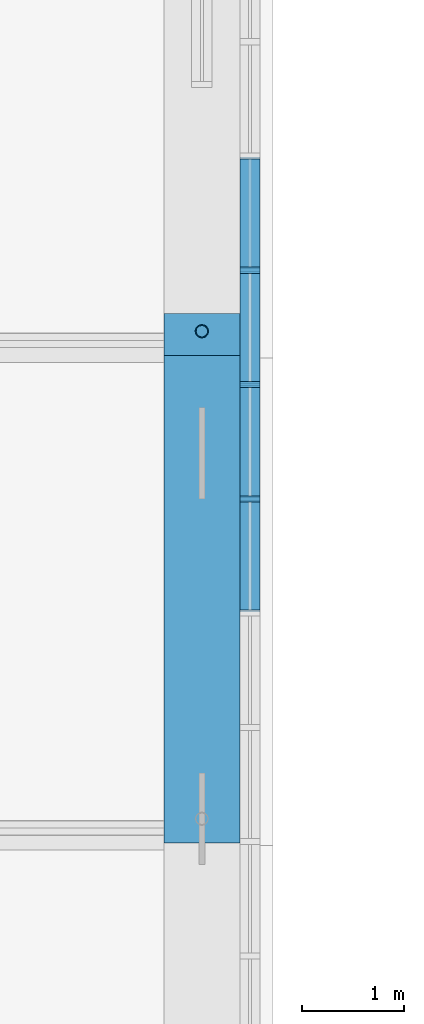
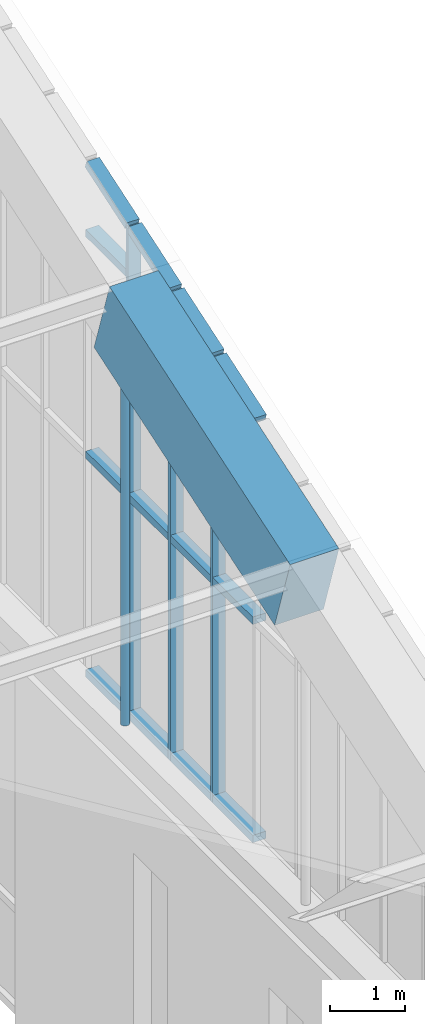
# One storey, part 92 of 149: 17 members, 1 beam, 1 element without a shape of its own.
"""IFC4 building model written with IfcOpenShell, lengths in metres."""

from ifc_helpers import new_model, si_unit, direction, frame, origin, origin_2d, place, context, subcontext, project, spatial, rectangle, hollow_circle, extrude, material, material_profile, profile_set, type_object, element, aggregate, save


model = new_model("IFC4")

# Units and contexts
model_context = context("Model", 3, precision=1e-05, world=origin(), true_north=direction((0.0, 1.0)))
body_context = subcontext(model_context, "Body", "Model", "MODEL_VIEW")
ifc_project = project(units=[si_unit("LENGTHUNIT", "METRE"), si_unit("AREAUNIT", "SQUARE_METRE"), si_unit("VOLUMEUNIT", "CUBIC_METRE"), si_unit("PLANEANGLEUNIT", "RADIAN"), si_unit("MASSUNIT", "GRAM", prefix="KILO")], contexts=[model_context])

# Site, building, storey
site_placement = place(None, origin())
site = spatial("IfcSite", under=ifc_project, at=site_placement, CompositionType="ELEMENT")
building_placement = place(site_placement, origin())
building = spatial("IfcBuilding", under=site, at=building_placement, Name="Alderwick Market Hall", CompositionType="ELEMENT")
storey_placement = place(building_placement, frame((0.0, 0.0, 9.60009765625)))
storey = spatial("IfcBuildingStorey", under=building, at=storey_placement, Name="L01", CompositionType="ELEMENT", Elevation=9.60009765625)

# Beam
ifc_material_1 = material(Name="Concrete 5000 psi (f'c 35 MPa)", Category="concrete")
ifc_material_profile_1 = material_profile(ifc_material_1, rectangle(XDim=0.75, YDim=1.300048828125, at=origin_2d()), Name="RC 750x1300")
ifc_profile_set_1 = profile_set([ifc_material_profile_1], Name="Concrete 5000 psi (f'c 35 MPa)")
beam_type = type_object("IfcBeamType", Name="R Arch Rib Haunch 750x1300", PredefinedType="BEAM", material=ifc_profile_set_1)
beam_placement = place(storey_placement, frame((151.199951171875, 64.768310546875, 11.494873046875), z_axis=(0.0, 0.948692948114, 0.316198814353), x_axis=(-1.0, 0.0, 0.0)))
element("IfcBeam", 1, at=beam_placement, inside=storey, type_object=beam_type, Name="Arch rib 8 chord 4", PredefinedType="BEAM", context=body_context, shape_type="SweptSolid", body=[
    extrude(rectangle(XDim=0.75, YDim=1.300048828125, at=origin_2d()), origin(), (0.0, 0.0, 1.0), 5.0595703125),
])

# Curtain wall, members
ifc_material_2 = material(Name="Aluminium", Category="aluminium")
curtain_wall_type = type_object("IfcCurtainWallType", Name="R Curtain Wall Frame", PredefinedType="NOTDEFINED", material=ifc_material_2)
curtain_wall_placement = place(storey_placement, origin())
curtain_wall = element("IfcCurtainWall", 2, at=curtain_wall_placement, inside=storey, type_object=curtain_wall_type, Name="Curtain wall GCW3", PredefinedType="NOTDEFINED")
ifc_material_profile_2 = material_profile(ifc_material_2, rectangle(XDim=0.199951171875, YDim=0.06005859375, at=origin_2d()), Name="AL 60x200")
ifc_profile_set_2 = profile_set([ifc_material_profile_2], Name="Aluminium")
member_type_1 = type_object("IfcMemberType", Name="R CW Mullion 60x200", PredefinedType="MULLION", material=ifc_profile_set_2)
member_1_placement = place(storey_placement, frame((151.675048828125, 67.949951171875, 5.94677734375), z_axis=(0.0, 0.0, 1.0), x_axis=(1.0, 0.0, 0.0)))
member_1 = element("IfcMember", 3, at=member_1_placement, type_object=member_type_1, Name="GCW3 mullion 15", PredefinedType="MULLION", context=body_context, shape_type="SweptSolid", body=[
    extrude(rectangle(XDim=0.199951171875, YDim=0.06005859375, at=origin_2d()), origin(), (0.0, 0.0, 1.0), 7.200439453125),
])
member_2_placement = place(storey_placement, frame((151.675048828125, 69.074951171875, 5.94677734375), z_axis=(0.0, 0.0, 1.0), x_axis=(1.0, 0.0, 0.0)))
member_2 = element("IfcMember", 4, at=member_2_placement, type_object=member_type_1, Name="GCW3 mullion 16", PredefinedType="MULLION", context=body_context, shape_type="SweptSolid", body=[
    extrude(rectangle(XDim=0.199951171875, YDim=0.06005859375, at=origin_2d()), origin(), (0.0, 0.0, 1.0), 7.575439453125),
])
member_3_placement = place(storey_placement, frame((151.675048828125, 70.199951171875, 5.94677734375), z_axis=(0.0, 0.0, 1.0), x_axis=(1.0, 0.0, 0.0)))
member_3 = element("IfcMember", 5, at=member_3_placement, type_object=member_type_1, Name="GCW3 mullion 17", PredefinedType="MULLION", context=body_context, shape_type="SweptSolid", body=[
    extrude(rectangle(XDim=0.199951171875, YDim=0.06005859375, at=origin_2d()), origin(), (0.0, 0.0, 1.0), 7.950439453125),
])
ifc_material_profile_3 = material_profile(ifc_material_2, rectangle(XDim=0.199951171875, YDim=0.1201171875, at=origin_2d()), Name="AL 120x200")
ifc_profile_set_3 = profile_set([ifc_material_profile_3], Name="Aluminium")
member_type_2 = type_object("IfcMemberType", Name="R CW Transom 120x200", PredefinedType="USERDEFINED", material=ifc_profile_set_3)
member_4_placement = place(storey_placement, frame((151.675048828125, 66.85498046875, 6.006591796875), z_axis=(0.0, 1.0, 0.0), x_axis=(-1.0, 0.0, 0.0)))
member_4 = element("IfcMember", 6, at=member_4_placement, type_object=member_type_2, Name="GCW3 sill transom 14", ObjectType="TRANSOM", PredefinedType="USERDEFINED", context=body_context, shape_type="SweptSolid", body=[
    extrude(rectangle(XDim=0.199951171875, YDim=0.1201171875, at=origin_2d()), origin(), (0.0, 0.0, 1.0), 1.06494140625),
])
member_5_placement = place(storey_placement, frame((151.675048828125, 66.85498046875, 9.546630859375), z_axis=(0.0, 1.0, 0.0), x_axis=(-1.0, 0.0, 0.0)))
member_5 = element("IfcMember", 7, at=member_5_placement, type_object=member_type_2, Name="GCW3 transom 14.1", ObjectType="TRANSOM", PredefinedType="USERDEFINED", context=body_context, shape_type="SweptSolid", body=[
    extrude(rectangle(XDim=0.199951171875, YDim=0.1201171875, at=origin_2d()), origin(), (0.0, 0.0, 1.0), 1.06494140625),
])
member_6_placement = place(storey_placement, frame((151.675048828125, 66.85498046875, 12.7822265625), z_axis=(0.0, 0.948683298051, 0.316227766017), x_axis=(-1.0, 0.0, 0.0)))
member_6 = element("IfcMember", 8, at=member_6_placement, type_object=member_type_2, Name="GCW3 arch cap 14", ObjectType="TRANSOM", PredefinedType="USERDEFINED", context=body_context, shape_type="SweptSolid", body=[
    extrude(rectangle(XDim=0.199951171875, YDim=0.1201171875, at=origin_2d()), origin(), (0.0, 0.0, 1.0), 1.12255859375),
])
member_7_placement = place(storey_placement, frame((151.675048828125, 67.97998046875, 6.006591796875), z_axis=(0.0, 1.0, 0.0), x_axis=(-1.0, 0.0, 0.0)))
member_7 = element("IfcMember", 9, at=member_7_placement, type_object=member_type_2, Name="GCW3 sill transom 15", ObjectType="TRANSOM", PredefinedType="USERDEFINED", context=body_context, shape_type="SweptSolid", body=[
    extrude(rectangle(XDim=0.199951171875, YDim=0.1201171875, at=origin_2d()), origin(), (0.0, 0.0, 1.0), 1.06494140625),
])
member_8_placement = place(storey_placement, frame((151.675048828125, 67.97998046875, 9.546630859375), z_axis=(0.0, 1.0, 0.0), x_axis=(-1.0, 0.0, 0.0)))
member_8 = element("IfcMember", 10, at=member_8_placement, type_object=member_type_2, Name="GCW3 transom 15.1", ObjectType="TRANSOM", PredefinedType="USERDEFINED", context=body_context, shape_type="SweptSolid", body=[
    extrude(rectangle(XDim=0.199951171875, YDim=0.1201171875, at=origin_2d()), origin(), (0.0, 0.0, 1.0), 1.06494140625),
])
member_9_placement = place(storey_placement, frame((151.675048828125, 67.97998046875, 13.1572265625), z_axis=(0.0, 0.948683298051, 0.316227766017), x_axis=(-1.0, 0.0, 0.0)))
member_9 = element("IfcMember", 11, at=member_9_placement, type_object=member_type_2, Name="GCW3 arch cap 15", ObjectType="TRANSOM", PredefinedType="USERDEFINED", context=body_context, shape_type="SweptSolid", body=[
    extrude(rectangle(XDim=0.199951171875, YDim=0.1201171875, at=origin_2d()), origin(), (0.0, 0.0, 1.0), 1.12255859375),
])
member_10_placement = place(storey_placement, frame((151.675048828125, 69.10498046875, 6.006591796875), z_axis=(0.0, 1.0, 0.0), x_axis=(-1.0, 0.0, 0.0)))
member_10 = element("IfcMember", 12, at=member_10_placement, type_object=member_type_2, Name="GCW3 sill transom 16", ObjectType="TRANSOM", PredefinedType="USERDEFINED", context=body_context, shape_type="SweptSolid", body=[
    extrude(rectangle(XDim=0.199951171875, YDim=0.1201171875, at=origin_2d()), origin(), (0.0, 0.0, 1.0), 1.06494140625),
])
member_11_placement = place(storey_placement, frame((151.675048828125, 69.10498046875, 9.546630859375), z_axis=(0.0, 1.0, 0.0), x_axis=(-1.0, 0.0, 0.0)))
member_11 = element("IfcMember", 13, at=member_11_placement, type_object=member_type_2, Name="GCW3 transom 16.1", ObjectType="TRANSOM", PredefinedType="USERDEFINED", context=body_context, shape_type="SweptSolid", body=[
    extrude(rectangle(XDim=0.199951171875, YDim=0.1201171875, at=origin_2d()), origin(), (0.0, 0.0, 1.0), 1.06494140625),
])
member_12_placement = place(storey_placement, frame((151.675048828125, 69.10498046875, 13.5322265625), z_axis=(0.0, 0.948683298051, 0.316227766017), x_axis=(-1.0, 0.0, 0.0)))
member_12 = element("IfcMember", 14, at=member_12_placement, type_object=member_type_2, Name="GCW3 arch cap 16", ObjectType="TRANSOM", PredefinedType="USERDEFINED", context=body_context, shape_type="SweptSolid", body=[
    extrude(rectangle(XDim=0.199951171875, YDim=0.1201171875, at=origin_2d()), origin(), (0.0, 0.0, 1.0), 1.12255859375),
])
member_13_placement = place(storey_placement, frame((151.675048828125, 70.22998046875, 6.006591796875), z_axis=(0.0, 1.0, 0.0), x_axis=(-1.0, 0.0, 0.0)))
member_13 = element("IfcMember", 15, at=member_13_placement, type_object=member_type_2, Name="GCW3 sill transom 17", ObjectType="TRANSOM", PredefinedType="USERDEFINED", context=body_context, shape_type="SweptSolid", body=[
    extrude(rectangle(XDim=0.199951171875, YDim=0.1201171875, at=origin_2d()), origin(), (0.0, 0.0, 1.0), 1.06494140625),
])
member_14_placement = place(storey_placement, frame((151.675048828125, 70.22998046875, 9.546630859375), z_axis=(0.0, 1.0, 0.0), x_axis=(-1.0, 0.0, 0.0)))
member_14 = element("IfcMember", 16, at=member_14_placement, type_object=member_type_2, Name="GCW3 transom 17.1", ObjectType="TRANSOM", PredefinedType="USERDEFINED", context=body_context, shape_type="SweptSolid", body=[
    extrude(rectangle(XDim=0.199951171875, YDim=0.1201171875, at=origin_2d()), origin(), (0.0, 0.0, 1.0), 1.06494140625),
])
member_15_placement = place(storey_placement, frame((151.675048828125, 70.22998046875, 13.146728515625), z_axis=(0.0, 1.0, 0.0), x_axis=(-1.0, 0.0, 0.0)))
member_15 = element("IfcMember", 17, at=member_15_placement, type_object=member_type_2, Name="GCW3 transom 17.2", ObjectType="TRANSOM", PredefinedType="USERDEFINED", context=body_context, shape_type="SweptSolid", body=[
    extrude(rectangle(XDim=0.199951171875, YDim=0.1201171875, at=origin_2d()), origin(), (0.0, 0.0, 1.0), 1.06494140625),
])
member_16_placement = place(storey_placement, frame((151.675048828125, 70.22998046875, 13.9072265625), z_axis=(0.0, 0.948683298051, 0.316227766017), x_axis=(-1.0, 0.0, 0.0)))
member_16 = element("IfcMember", 18, at=member_16_placement, type_object=member_type_2, Name="GCW3 arch cap 17", ObjectType="TRANSOM", PredefinedType="USERDEFINED", context=body_context, shape_type="SweptSolid", body=[
    extrude(rectangle(XDim=0.199951171875, YDim=0.1201171875, at=origin_2d()), origin(), (0.0, 0.0, 1.0), 1.12255859375),
])
aggregate(curtain_wall, [member_1, member_2, member_3, member_4, member_5, member_6, member_7, member_8, member_9, member_10, member_11, member_12, member_13, member_14, member_15, member_16])

# Member
ifc_material_3 = material(Name="Steel ASTM A500 Grade C", Category="steel")
ifc_material_profile_4 = material_profile(ifc_material_3, hollow_circle(Radius=0.0634765625, WallThickness=0.005859375, at=origin_2d()), Name="HSS5.000x0.250")
ifc_profile_set_4 = profile_set([ifc_material_profile_4], Name="Steel ASTM A500 Grade C")
member_type_3 = type_object("IfcMemberType", Name="R Hanger HSS5.000x0.250", PredefinedType="POST", material=ifc_profile_set_4)
member_17_placement = place(storey_placement, frame((151.199951171875, 69.60009765625, 6.35302734375), z_axis=(0.0, 0.0, 1.0), x_axis=(1.0, 0.0, 0.0)))
element("IfcMember", 19, at=member_17_placement, inside=storey, type_object=member_type_3, Name="Arch hanger 8.4", PredefinedType="POST", context=body_context, shape_type="SweptSolid", body=[
    extrude(hollow_circle(Radius=0.0634765625, WallThickness=0.005859375, at=origin_2d()), origin(), (0.0, 0.0, 1.0), 6.0458984375),
])

save(model, "model.ifc")
